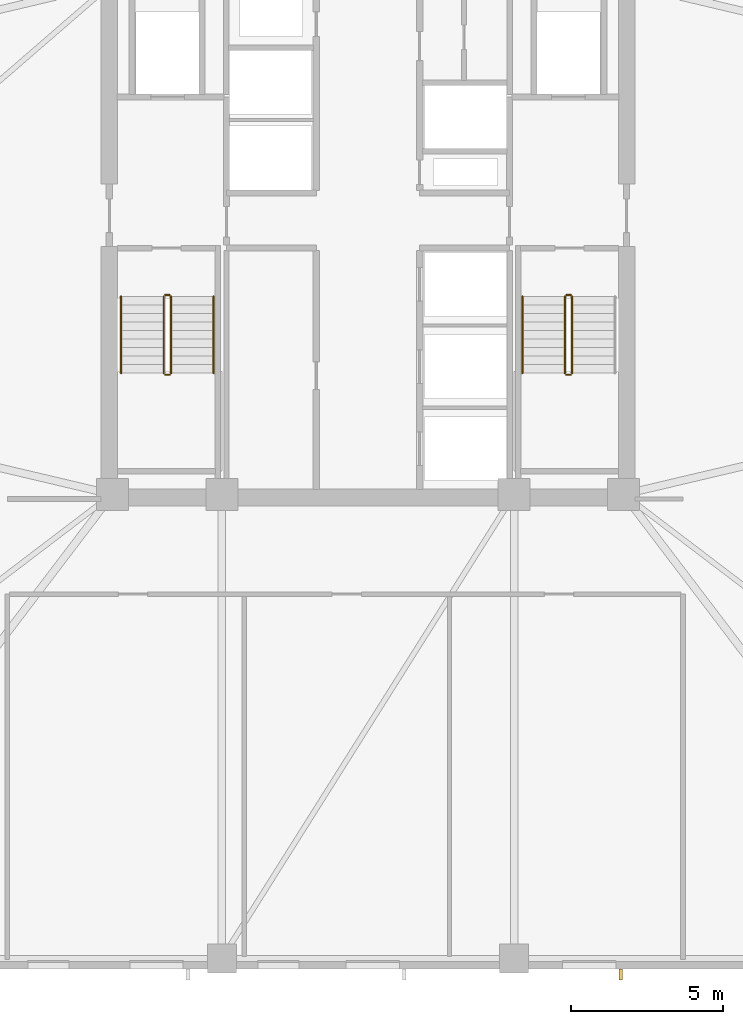
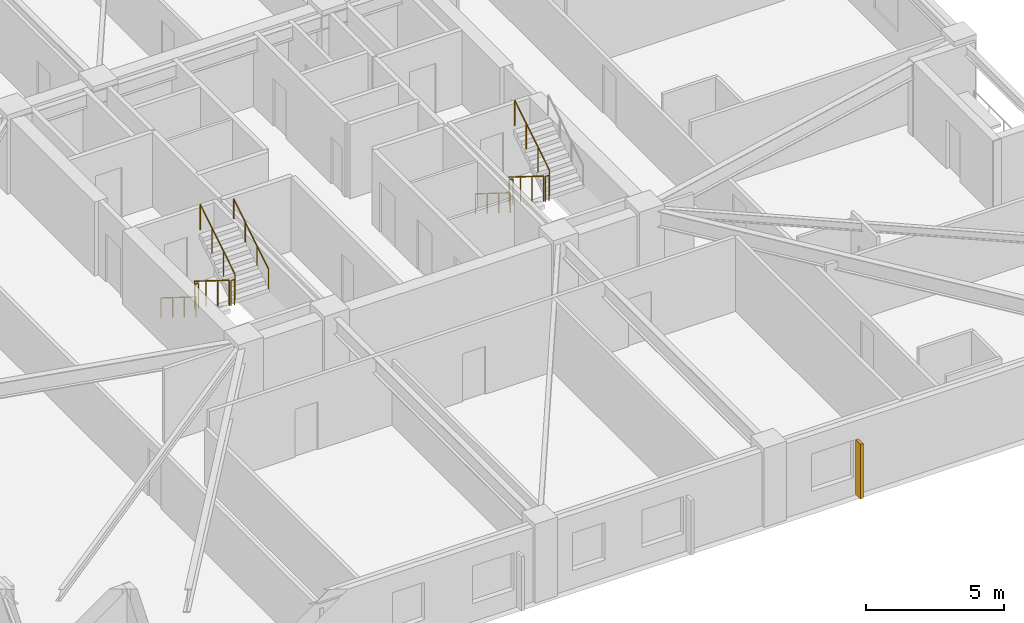
# One storey, part 7 of 10: 11 railings, 1 shading device.
"""IFC4 building model written with IfcOpenShell, lengths in metres."""

from ifc_helpers import new_model, si_unit, direction, frame, origin, origin_2d, place, context, subcontext, project, spatial, rectangle, circle, extrude, material, type_object, element, save


model = new_model("IFC4")

# Units and contexts
model_context = context("Model", 3, precision=1e-05, world=origin(), true_north=direction((0.0, 1.0)))
body_context = subcontext(model_context, "Body", "Model", "MODEL_VIEW")
ifc_project = project(units=[si_unit("LENGTHUNIT", "METRE"), si_unit("AREAUNIT", "SQUARE_METRE"), si_unit("VOLUMEUNIT", "CUBIC_METRE"), si_unit("PLANEANGLEUNIT", "RADIAN"), si_unit("MASSUNIT", "GRAM", prefix="KILO")], contexts=[model_context])

# Site, building, storey
site_placement = place(None, origin())
site = spatial("IfcSite", under=ifc_project, at=site_placement, CompositionType="ELEMENT")
building_placement = place(site_placement, origin())
building = spatial("IfcBuilding", under=site, at=building_placement, Name="Cairnveth Concourse Tower", CompositionType="ELEMENT")
storey_placement = place(building_placement, frame((0.0, 0.0, 179.5)))
storey = spatial("IfcBuildingStorey", under=building, at=storey_placement, Name="L49", CompositionType="ELEMENT", Elevation=179.5)

# Shading device
ifc_material_1 = material(Name="Architectural Bronze Anodised Aluminium 6063-T6", Category="aluminium")
shading_device_type = type_object("IfcShadingDeviceType", Name="GOTHIC BRONZE VERTICAL LANCET FIN", PredefinedType="USERDEFINED", material=ifc_material_1)
shading_device_placement = place(storey_placement, frame((60.301025390625, 14.824951171875, 0.030029296875), z_axis=(0.0, 0.0, 1.0), x_axis=(1.0, 0.0, 0.0)))
element("IfcShadingDevice", 1, at=shading_device_placement, inside=storey, type_object=shading_device_type, Name="Gothic Bronze Vertical Fin L49-3-3", ObjectType="VERTICAL FIN", PredefinedType="USERDEFINED", context=body_context, shape_type="SweptSolid", body=[
    extrude(rectangle(XDim=0.1201171875, YDim=0.360107421875, at=origin_2d()), origin(), (0.0, 0.0, 1.0), 2.419921875),
])

# Railings
ifc_material_2 = material(Name="Steel Grade 350", Category="steel")
railing_type_1 = type_object("IfcRailingType", Name="STAIR GUARDRAIL 1150", PredefinedType="GUARDRAIL", material=ifc_material_2)
railing_1_placement = place(storey_placement, frame((45.2900390625, 37.10009765625, 0.175048828125)))
element("IfcRailing", 2, at=railing_1_placement, inside=storey, type_object=railing_type_1, Name="L49 ST-1 stair guard 1", PredefinedType="GUARDRAIL", context=body_context, shape_type="SweptSolid", body=[
    extrude(circle(Radius=0.02392578125, at=origin_2d()), frame((0.0, 0.0, 1.1259765625), z_axis=(0.0, -0.848007534815, 0.529984170421), x_axis=(1.0, 0.0, 0.0)), (0.0, 0.0, 1.0), 2.9716796875),
    extrude(circle(Radius=0.02099609375, at=origin_2d()), origin(), (0.0, 0.0, 1.0), 1.101806640625),
    extrude(circle(Radius=0.02099609375, at=origin_2d()), frame((0.0, -0.840087890625, 0.52490234375)), (0.0, 0.0, 1.0), 1.101806640625),
    extrude(circle(Radius=0.02099609375, at=origin_2d()), frame((0.0, -1.679931640625, 1.050048828125)), (0.0, 0.0, 1.0), 1.101806640625),
    extrude(circle(Radius=0.02099609375, at=origin_2d()), frame((0.0, -2.52001953125, 1.574951171875)), (0.0, 0.0, 1.0), 1.101806640625),
])
railing_2_placement = place(storey_placement, frame((45.340087890625, 34.530029296875, 1.75)))
element("IfcRailing", 3, at=railing_2_placement, inside=storey, type_object=railing_type_1, Name="L49 ST-1 stair guard 2", PredefinedType="GUARDRAIL", context=body_context, shape_type="SweptSolid", body=[
    extrude(circle(Radius=0.02392578125, at=origin_2d()), frame((0.0, 0.0, 1.1259765625), z_axis=(1.0, 0.0, 0.0), x_axis=(0.0, 1.0, 0.0)), (0.0, 0.0, 1.0), 0.139892578125),
    extrude(circle(Radius=0.02099609375, at=origin_2d()), origin(), (0.0, 0.0, 1.0), 1.101806640625),
    extrude(circle(Radius=0.02099609375, at=origin_2d()), frame((0.139892578125, 0.0, 0.0)), (0.0, 0.0, 1.0), 1.101806640625),
])
railing_3_placement = place(storey_placement, frame((45.530029296875, 34.580078125, 1.925048828125)))
element("IfcRailing", 4, at=railing_3_placement, inside=storey, type_object=railing_type_1, Name="L49 ST-1 stair guard 3", PredefinedType="GUARDRAIL", context=body_context, shape_type="SweptSolid", body=[
    extrude(circle(Radius=0.02392578125, at=origin_2d()), frame((0.0, 0.0, 1.1259765625), z_axis=(0.0, 0.848007534815, 0.529984170421), x_axis=(-1.0, 0.0, 0.0)), (0.0, 0.0, 1.0), 2.9716796875),
    extrude(circle(Radius=0.02099609375, at=origin_2d()), origin(), (0.0, 0.0, 1.0), 1.101806640625),
    extrude(circle(Radius=0.02099609375, at=origin_2d()), frame((0.0, 0.840087890625, 0.52490234375)), (0.0, 0.0, 1.0), 1.101806640625),
    extrude(circle(Radius=0.02099609375, at=origin_2d()), frame((0.0, 1.679931640625, 1.050048828125)), (0.0, 0.0, 1.0), 1.101806640625),
    extrude(circle(Radius=0.02099609375, at=origin_2d()), frame((0.0, 2.52001953125, 1.574951171875)), (0.0, 0.0, 1.0), 1.101806640625),
])
railing_4_placement = place(storey_placement, frame((45.340087890625, 37.14990234375, 0.0)))
element("IfcRailing", 5, at=railing_4_placement, inside=storey, type_object=railing_type_1, Name="L49 ST-1 stair guard 4", PredefinedType="GUARDRAIL", context=body_context, shape_type="SweptSolid", body=[
    extrude(circle(Radius=0.02392578125, at=origin_2d()), frame((0.0, 0.0, 1.1259765625), z_axis=(1.0, 0.0, 0.0), x_axis=(0.0, 1.0, 0.0)), (0.0, 0.0, 1.0), 0.139892578125),
    extrude(circle(Radius=0.02099609375, at=origin_2d()), origin(), (0.0, 0.0, 1.0), 1.101806640625),
    extrude(circle(Radius=0.02099609375, at=origin_2d()), frame((0.139892578125, 0.0, 0.0)), (0.0, 0.0, 1.0), 1.101806640625),
])
railing_5_placement = place(storey_placement, frame((58.469970703125, 37.10009765625, 0.175048828125)))
element("IfcRailing", 6, at=railing_5_placement, inside=storey, type_object=railing_type_1, Name="L49 ST-2 stair guard 1", PredefinedType="GUARDRAIL", context=body_context, shape_type="SweptSolid", body=[
    extrude(circle(Radius=0.02392578125, at=origin_2d()), frame((0.0, 0.0, 1.1259765625), z_axis=(0.0, -0.848007534815, 0.529984170421), x_axis=(1.0, 0.0, 0.0)), (0.0, 0.0, 1.0), 2.9716796875),
    extrude(circle(Radius=0.02099609375, at=origin_2d()), origin(), (0.0, 0.0, 1.0), 1.101806640625),
    extrude(circle(Radius=0.02099609375, at=origin_2d()), frame((0.0, -0.840087890625, 0.52490234375)), (0.0, 0.0, 1.0), 1.101806640625),
    extrude(circle(Radius=0.02099609375, at=origin_2d()), frame((0.0, -1.679931640625, 1.050048828125)), (0.0, 0.0, 1.0), 1.101806640625),
    extrude(circle(Radius=0.02099609375, at=origin_2d()), frame((0.0, -2.52001953125, 1.574951171875)), (0.0, 0.0, 1.0), 1.101806640625),
])
railing_6_placement = place(storey_placement, frame((58.52001953125, 34.530029296875, 1.75)))
element("IfcRailing", 7, at=railing_6_placement, inside=storey, type_object=railing_type_1, Name="L49 ST-2 stair guard 2", PredefinedType="GUARDRAIL", context=body_context, shape_type="SweptSolid", body=[
    extrude(circle(Radius=0.02392578125, at=origin_2d()), frame((0.0, 0.0, 1.1259765625), z_axis=(1.0, 0.0, 0.0), x_axis=(0.0, 1.0, 0.0)), (0.0, 0.0, 1.0), 0.139892578125),
    extrude(circle(Radius=0.02099609375, at=origin_2d()), origin(), (0.0, 0.0, 1.0), 1.101806640625),
    extrude(circle(Radius=0.02099609375, at=origin_2d()), frame((0.139892578125, 0.0, 0.0)), (0.0, 0.0, 1.0), 1.101806640625),
])
railing_7_placement = place(storey_placement, frame((58.7099609375, 34.580078125, 1.925048828125)))
element("IfcRailing", 8, at=railing_7_placement, inside=storey, type_object=railing_type_1, Name="L49 ST-2 stair guard 3", PredefinedType="GUARDRAIL", context=body_context, shape_type="SweptSolid", body=[
    extrude(circle(Radius=0.02392578125, at=origin_2d()), frame((0.0, 0.0, 1.1259765625), z_axis=(0.0, 0.848007534815, 0.529984170421), x_axis=(-1.0, 0.0, 0.0)), (0.0, 0.0, 1.0), 2.9716796875),
    extrude(circle(Radius=0.02099609375, at=origin_2d()), origin(), (0.0, 0.0, 1.0), 1.101806640625),
    extrude(circle(Radius=0.02099609375, at=origin_2d()), frame((0.0, 0.840087890625, 0.52490234375)), (0.0, 0.0, 1.0), 1.101806640625),
    extrude(circle(Radius=0.02099609375, at=origin_2d()), frame((0.0, 1.679931640625, 1.050048828125)), (0.0, 0.0, 1.0), 1.101806640625),
    extrude(circle(Radius=0.02099609375, at=origin_2d()), frame((0.0, 2.52001953125, 1.574951171875)), (0.0, 0.0, 1.0), 1.101806640625),
])
railing_8_placement = place(storey_placement, frame((58.52001953125, 37.14990234375, 0.0)))
element("IfcRailing", 9, at=railing_8_placement, inside=storey, type_object=railing_type_1, Name="L49 ST-2 stair guard 4", PredefinedType="GUARDRAIL", context=body_context, shape_type="SweptSolid", body=[
    extrude(circle(Radius=0.02392578125, at=origin_2d()), frame((0.0, 0.0, 1.1259765625), z_axis=(1.0, 0.0, 0.0), x_axis=(0.0, 1.0, 0.0)), (0.0, 0.0, 1.0), 0.139892578125),
    extrude(circle(Radius=0.02099609375, at=origin_2d()), origin(), (0.0, 0.0, 1.0), 1.101806640625),
    extrude(circle(Radius=0.02099609375, at=origin_2d()), frame((0.139892578125, 0.0, 0.0)), (0.0, 0.0, 1.0), 1.101806640625),
])
railing_type_2 = type_object("IfcRailingType", Name="STAIR WALL HANDRAIL 900", PredefinedType="HANDRAIL", material=ifc_material_2)
railing_9_placement = place(storey_placement, frame((43.889892578125, 37.10009765625, 0.175048828125)))
element("IfcRailing", 10, at=railing_9_placement, inside=storey, type_object=railing_type_2, Name="L49 ST-1 stair handrail 1", PredefinedType="HANDRAIL", context=body_context, shape_type="SweptSolid", body=[
    extrude(circle(Radius=0.02392578125, at=origin_2d()), frame((0.0, 0.0, 0.8759765625), z_axis=(0.0, -0.848007534815, 0.529984170421), x_axis=(1.0, 0.0, 0.0)), (0.0, 0.0, 1.0), 2.9716796875),
    extrude(circle(Radius=0.02099609375, at=origin_2d()), origin(), (0.0, 0.0, 1.0), 0.851806640625),
    extrude(circle(Radius=0.02099609375, at=origin_2d()), frame((0.0, -0.840087890625, 0.52490234375)), (0.0, 0.0, 1.0), 0.851806640625),
    extrude(circle(Radius=0.02099609375, at=origin_2d()), frame((0.0, -1.679931640625, 1.050048828125)), (0.0, 0.0, 1.0), 0.851806640625),
    extrude(circle(Radius=0.02099609375, at=origin_2d()), frame((0.0, -2.52001953125, 1.574951171875)), (0.0, 0.0, 1.0), 0.851806640625),
])
railing_10_placement = place(storey_placement, frame((46.929931640625, 34.580078125, 1.925048828125)))
element("IfcRailing", 11, at=railing_10_placement, inside=storey, type_object=railing_type_2, Name="L49 ST-1 stair handrail 2", PredefinedType="HANDRAIL", context=body_context, shape_type="SweptSolid", body=[
    extrude(circle(Radius=0.02392578125, at=origin_2d()), frame((0.0, 0.0, 0.8759765625), z_axis=(0.0, 0.848007534815, 0.529984170421), x_axis=(-1.0, 0.0, 0.0)), (0.0, 0.0, 1.0), 2.9716796875),
    extrude(circle(Radius=0.02099609375, at=origin_2d()), origin(), (0.0, 0.0, 1.0), 0.851806640625),
    extrude(circle(Radius=0.02099609375, at=origin_2d()), frame((0.0, 0.840087890625, 0.52490234375)), (0.0, 0.0, 1.0), 0.851806640625),
    extrude(circle(Radius=0.02099609375, at=origin_2d()), frame((0.0, 1.679931640625, 1.050048828125)), (0.0, 0.0, 1.0), 0.851806640625),
    extrude(circle(Radius=0.02099609375, at=origin_2d()), frame((0.0, 2.52001953125, 1.574951171875)), (0.0, 0.0, 1.0), 0.851806640625),
])
railing_11_placement = place(storey_placement, frame((57.070068359375, 37.10009765625, 0.175048828125)))
element("IfcRailing", 12, at=railing_11_placement, inside=storey, type_object=railing_type_2, Name="L49 ST-2 stair handrail 1", PredefinedType="HANDRAIL", context=body_context, shape_type="SweptSolid", body=[
    extrude(circle(Radius=0.02392578125, at=origin_2d()), frame((0.0, 0.0, 0.8759765625), z_axis=(0.0, -0.848007534815, 0.529984170421), x_axis=(1.0, 0.0, 0.0)), (0.0, 0.0, 1.0), 2.9716796875),
    extrude(circle(Radius=0.02099609375, at=origin_2d()), origin(), (0.0, 0.0, 1.0), 0.851806640625),
    extrude(circle(Radius=0.02099609375, at=origin_2d()), frame((0.0, -0.840087890625, 0.52490234375)), (0.0, 0.0, 1.0), 0.851806640625),
    extrude(circle(Radius=0.02099609375, at=origin_2d()), frame((0.0, -1.679931640625, 1.050048828125)), (0.0, 0.0, 1.0), 0.851806640625),
    extrude(circle(Radius=0.02099609375, at=origin_2d()), frame((0.0, -2.52001953125, 1.574951171875)), (0.0, 0.0, 1.0), 0.851806640625),
])

save(model, "model.ifc")
